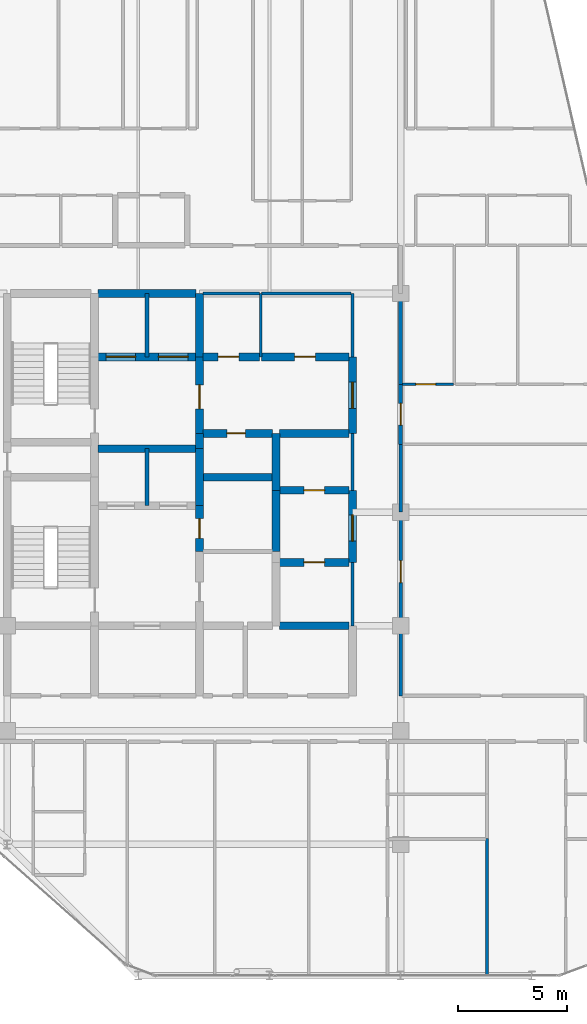
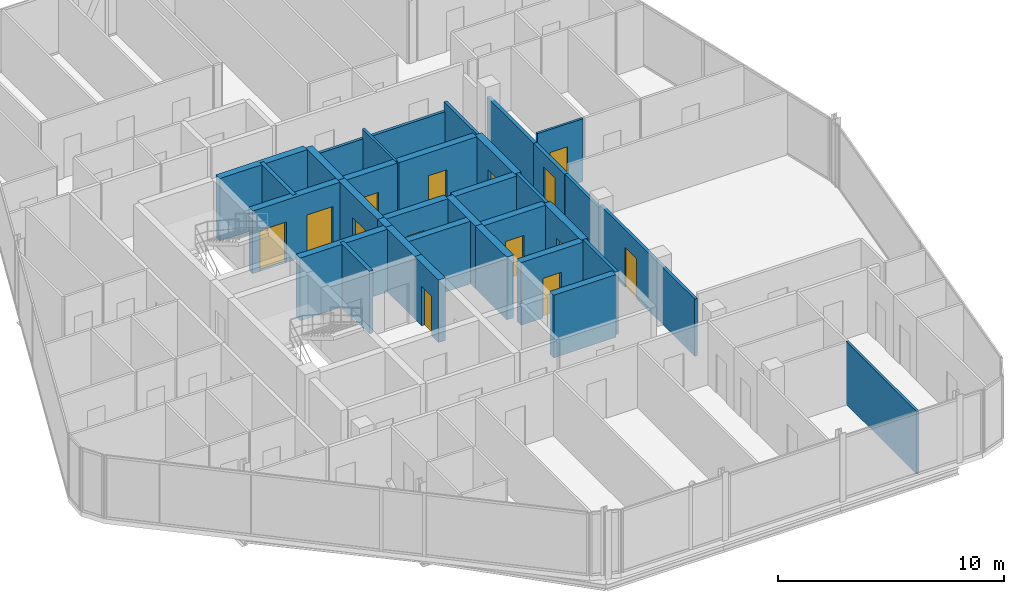
# One storey, part 24 of 27: 34 walls, 14 doors, 14 openings.
"""IFC4 building model written with IfcOpenShell, lengths in metres."""

from ifc_helpers import new_model, si_unit, direction, frame, frame_2d, origin, place, context, subcontext, project, spatial, rectangle, extrude, material, layer, layer_set, type_object, element, fill, save


model = new_model("IFC4")

# Units and contexts
model_context = context("Model", 3, precision=1e-05, world=origin(), true_north=direction((0.0, 1.0)))
body_context = subcontext(model_context, "Body", "Model", "MODEL_VIEW")
ifc_project = project(units=[si_unit("LENGTHUNIT", "METRE"), si_unit("AREAUNIT", "SQUARE_METRE"), si_unit("VOLUMEUNIT", "CUBIC_METRE"), si_unit("PLANEANGLEUNIT", "RADIAN"), si_unit("MASSUNIT", "GRAM", prefix="KILO")], contexts=[model_context])

# Site, building, storey
site_placement = place(None, origin())
site = spatial("IfcSite", under=ifc_project, at=site_placement, CompositionType="ELEMENT")
building_placement = place(site_placement, origin())
building = spatial("IfcBuilding", under=site, at=building_placement, Name="Keshet Zoharim Tower", CompositionType="ELEMENT")
storey_placement = place(building_placement, frame((0.0, 0.0, 269.5)))
storey = spatial("IfcBuildingStorey", under=building, at=storey_placement, Name="L67", CompositionType="ELEMENT", Elevation=269.5)

# Walls
ifc_material_1 = material(Name="Gypsum Plasterboard", Category="gypsum")
ifc_layer_1 = layer(ifc_material_1, 0.14990234375)
ifc_layer_set_1 = layer_set([ifc_layer_1], Name="Gypsum Plasterboard")
wall_type_1 = type_object("IfcWallType", Name="WL-CLIN-150", PredefinedType="STANDARD", material=ifc_layer_set_1)
wall_1_placement = place(storey_placement, frame((30.800048828125, 22.699951171875, 0.0), z_axis=(0.0, 0.0, 1.0), x_axis=(0.0, 1.0, 0.0)))
element("IfcWall", 1, at=wall_1_placement, inside=storey, type_object=wall_type_1, Name="L67 Interior Wall 058", PredefinedType="STANDARD", context=body_context, shape_type="SweptSolid", body=[
    extrude(rectangle(XDim=2.900146484375, YDim=0.14990234375, at=frame_2d((1.4501953125, 0.0))), origin(), (0.0, 0.0, 1.0), 3.389892578125),
])
wall_2_placement = place(storey_placement, frame((30.800048828125, 28.89990234375, 0.0), z_axis=(0.0, 0.0, 1.0), x_axis=(0.0, 1.0, 0.0)))
element("IfcWall", 2, at=wall_2_placement, inside=storey, type_object=wall_type_1, Name="L67 Interior Wall 060", PredefinedType="STANDARD", context=body_context, shape_type="SweptSolid", body=[
    extrude(rectangle(XDim=2.60009765625, YDim=0.14990234375, at=frame_2d((1.300048828125, 0.0))), origin(), (0.0, 0.0, 1.0), 3.389892578125),
])
wall_3_placement = place(storey_placement, frame((30.800048828125, 35.0, 0.0), z_axis=(0.0, 0.0, 1.0), x_axis=(0.0, 1.0, 0.0)))
element("IfcWall", 3, at=wall_3_placement, inside=storey, type_object=wall_type_1, Name="L67 Interior Wall 062", PredefinedType="STANDARD", context=body_context, shape_type="SweptSolid", body=[
    extrude(rectangle(XDim=2.89990234375, YDim=0.14990234375, at=frame_2d((1.449951171875, 0.0))), origin(), (0.0, 0.0, 1.0), 3.389892578125),
])

# Wall, opening, door
wall_4_placement = place(storey_placement, frame((33.0, 19.5, 0.0), z_axis=(0.0, 0.0, 1.0), x_axis=(0.0, 1.0, 0.0)))
wall_4 = element("IfcWall", 4, at=wall_4_placement, inside=storey, type_object=wall_type_1, Name="L67 Interior Wall 066", PredefinedType="STANDARD", context=body_context, shape_type="SweptSolid", body=[
    extrude(rectangle(XDim=8.39990234375, YDim=0.14990234375, at=frame_2d((4.199951171875, 0.0))), origin(), (0.0, 0.0, 1.0), 3.10009765625),
])
opening_1_placement = place(wall_4_placement, frame((5.179931640625, 0.0, 0.0)))
opening_1 = element("IfcOpeningElement", 5, at=opening_1_placement, cuts=wall_4, Name="Opening D-F310", PredefinedType="OPENING", context=body_context, shape_type="SweptSolid", body=[
    extrude(rectangle(XDim=1.0, YDim=2.14990234375, at=frame_2d((0.5, 1.074951171875))), frame((0.0, 0.0849609375, 0.0), z_axis=(0.0, -1.0, 0.0), x_axis=(1.0, 0.0, 0.0)), (0.0, 0.0, 1.0), 0.169921875),
])
ifc_material_2 = material(Name="Hardwood Timber", Category="wood")
door_type_1 = type_object("IfcDoorType", Name="DR-FD30-100", OperationType="NOTDEFINED", PredefinedType="DOOR", material=ifc_material_2)
door_1_placement = place(opening_1_placement, origin())
door_1 = element("IfcDoor", 6, at=door_1_placement, inside=storey, type_object=door_type_1, Name="L67 South West Residents Services Suite Door 1", OperationType="SINGLE_SWING_LEFT", OverallHeight=2.14990234375, OverallWidth=1.0, PredefinedType="DOOR", context=body_context, shape_type="SweptSolid", body=[
    extrude(rectangle(XDim=1.0, YDim=2.14990234375, at=frame_2d((0.5, 1.074951171875))), frame((0.0, 0.02490234375, 0.0), z_axis=(0.0, -1.0, 0.0), x_axis=(1.0, 0.0, 0.0)), (0.0, 0.0, 1.0), 0.050048828125),
])
fill(opening_1, door_1)

# Walls
wall_5_placement = place(storey_placement, frame((23.9599609375, 37.89990234375, 0.0), z_axis=(0.0, 0.0, 1.0), x_axis=(1.0, 0.0, 0.0)))
element("IfcWall", 7, at=wall_5_placement, inside=storey, type_object=wall_type_1, Name="L67 Interior Wall 144", PredefinedType="STANDARD", context=body_context, shape_type="SweptSolid", body=[
    extrude(rectangle(XDim=2.594970703125, YDim=0.14990234375, at=frame_2d((1.29736328125, 0.0))), origin(), (0.0, 0.0, 1.0), 2.889892578125),
])
wall_6_placement = place(storey_placement, frame((26.64501953125, 37.89990234375, 0.0), z_axis=(0.0, 0.0, 1.0), x_axis=(1.0, 0.0, 0.0)))
element("IfcWall", 8, at=wall_6_placement, inside=storey, type_object=wall_type_1, Name="L67 Interior Wall 145", PredefinedType="STANDARD", context=body_context, shape_type="SweptSolid", body=[
    extrude(rectangle(XDim=4.094970703125, YDim=0.14990234375, at=frame_2d((2.04736328125, 0.0))), origin(), (0.0, 0.0, 1.0), 2.889892578125),
])
wall_7_placement = place(storey_placement, frame((33.0, 27.89990234375, 0.0), z_axis=(0.0, 0.0, 1.0), x_axis=(0.0, 1.0, 0.0)))
element("IfcWall", 9, at=wall_7_placement, inside=storey, type_object=wall_type_1, Name="L67 Interior Wall 066 Part 2", PredefinedType="STANDARD", context=body_context, shape_type="SweptSolid", body=[
    extrude(rectangle(XDim=3.10009765625, YDim=0.14990234375, at=frame_2d((1.550048828125, 0.0))), origin(), (0.0, 0.0, 1.0), 2.889892578125),
])

# Wall, opening, door
ifc_material_3 = material(Name="Concrete C60/75", Category="concrete")
ifc_layer_2 = layer(ifc_material_3, 0.35009765625)
ifc_layer_set_2 = layer_set([ifc_layer_2], Name="Concrete C60/75")
wall_type_2 = type_object("IfcWallType", Name="WL-CORE-350", PredefinedType="SHEAR", material=ifc_layer_set_2)
wall_8_placement = place(storey_placement, frame((23.800048828125, 26.10009765625, 0.0), z_axis=(0.0, 0.0, 1.0), x_axis=(0.0, 1.0, 0.0)))
wall_8 = element("IfcWall", 10, at=wall_8_placement, inside=storey, type_object=wall_type_2, Name="L67 Core Shear Wall 040", PredefinedType="SHEAR", context=body_context, shape_type="SweptSolid", body=[
    extrude(rectangle(XDim=2.099853515625, YDim=0.35009765625, at=frame_2d((1.0498046875, 0.0))), origin(), (0.0, 0.0, 1.0), 3.389892578125),
])
opening_2_placement = place(wall_8_placement, frame((0.60009765625, 0.0, 0.0)))
opening_2 = element("IfcOpeningElement", 11, at=opening_2_placement, cuts=wall_8, Name="Opening D-F690", PredefinedType="OPENING", context=body_context, shape_type="SweptSolid", body=[
    extrude(rectangle(XDim=0.89990234375, YDim=2.14990234375, at=frame_2d((0.449951171875, 1.074951171875))), frame((0.0, 0.18505859375, 0.0), z_axis=(0.0, -1.0, 0.0), x_axis=(1.0, 0.0, 0.0)), (0.0, 0.0, 1.0), 0.3701171875),
])
door_type_2 = type_object("IfcDoorType", Name="DR-FD60-090", OperationType="NOTDEFINED", PredefinedType="DOOR", material=ifc_material_2)
door_2_placement = place(opening_2_placement, origin())
door_2 = element("IfcDoor", 12, at=door_2_placement, inside=storey, type_object=door_type_2, Name="L67 Core Electrical Room Door", OperationType="SINGLE_SWING_RIGHT", OverallHeight=2.14990234375, OverallWidth=0.89990234375, PredefinedType="DOOR", context=body_context, shape_type="SweptSolid", body=[
    extrude(rectangle(XDim=0.89990234375, YDim=2.14990234375, at=frame_2d((0.449951171875, 1.074951171875))), frame((0.0, 0.02490234375, 0.0), z_axis=(0.0, -1.0, 0.0), x_axis=(1.0, 0.0, 0.0)), (0.0, 0.0, 1.0), 0.050048828125),
])
fill(opening_2, door_2)

# Walls
wall_9_placement = place(storey_placement, frame((23.800048828125, 28.199951171875, 0.0), z_axis=(0.0, 0.0, 1.0), x_axis=(0.0, 1.0, 0.0)))
element("IfcWall", 13, at=wall_9_placement, inside=storey, type_object=wall_type_2, Name="L67 Core Shear Wall 041", PredefinedType="SHEAR", context=body_context, shape_type="SweptSolid", body=[
    extrude(rectangle(XDim=2.60009765625, YDim=0.35009765625, at=frame_2d((1.300048828125, 0.0))), origin(), (0.0, 0.0, 1.0), 3.389892578125),
])
wall_10_placement = place(storey_placement, frame((23.800048828125, 30.800048828125, 0.0), z_axis=(0.0, 0.0, 1.0), x_axis=(0.0, 1.0, 0.0)))
element("IfcWall", 14, at=wall_10_placement, inside=storey, type_object=wall_type_2, Name="L67 Core Shear Wall 042", PredefinedType="SHEAR", context=body_context, shape_type="SweptSolid", body=[
    extrude(rectangle(XDim=0.699951171875, YDim=0.35009765625, at=frame_2d((0.35009765625, 0.0))), origin(), (0.0, 0.0, 1.0), 3.389892578125),
])

# Wall, opening, door
wall_11_placement = place(storey_placement, frame((23.800048828125, 31.5, 0.0), z_axis=(0.0, 0.0, 1.0), x_axis=(0.0, 1.0, 0.0)))
wall_11 = element("IfcWall", 15, at=wall_11_placement, inside=storey, type_object=wall_type_2, Name="L67 Core Shear Wall 043", PredefinedType="SHEAR", context=body_context, shape_type="SweptSolid", body=[
    extrude(rectangle(XDim=3.5, YDim=0.35009765625, at=frame_2d((1.75, 0.0))), origin(), (0.0, 0.0, 1.0), 3.389892578125),
])
opening_3_placement = place(wall_11_placement, frame((1.126953125, 0.0, 0.0)))
opening_3 = element("IfcOpeningElement", 16, at=opening_3_placement, cuts=wall_11, Name="Opening D-F611", PredefinedType="OPENING", context=body_context, shape_type="SweptSolid", body=[
    extrude(rectangle(XDim=1.10009765625, YDim=2.14990234375, at=frame_2d((0.550048828125, 1.074951171875))), frame((0.0, 0.18505859375, 0.0), z_axis=(0.0, -1.0, 0.0), x_axis=(1.0, 0.0, 0.0)), (0.0, 0.0, 1.0), 0.3701171875),
])
door_type_3 = type_object("IfcDoorType", Name="DR-FD60-110", OperationType="NOTDEFINED", PredefinedType="DOOR", material=ifc_material_2)
door_3_placement = place(opening_3_placement, origin())
door_3 = element("IfcDoor", 17, at=door_3_placement, inside=storey, type_object=door_type_3, Name="L67 Firefighting Lobby Fire Door", OperationType="SINGLE_SWING_LEFT", OverallHeight=2.14990234375, OverallWidth=1.10009765625, PredefinedType="DOOR", context=body_context, shape_type="SweptSolid", body=[
    extrude(rectangle(XDim=1.10009765625, YDim=2.14990234375, at=frame_2d((0.550048828125, 1.074951171875))), frame((0.0, 0.02490234375, 0.0), z_axis=(0.0, -1.0, 0.0), x_axis=(1.0, 0.0, 0.0)), (0.0, 0.0, 1.0), 0.050048828125),
])
fill(opening_3, door_3)

# Walls
wall_12_placement = place(storey_placement, frame((23.800048828125, 35.0, 0.0), z_axis=(0.0, 0.0, 1.0), x_axis=(0.0, 1.0, 0.0)))
element("IfcWall", 18, at=wall_12_placement, inside=storey, type_object=wall_type_2, Name="L67 Core Shear Wall 044", PredefinedType="SHEAR", context=body_context, shape_type="SweptSolid", body=[
    extrude(rectangle(XDim=2.89990234375, YDim=0.35009765625, at=frame_2d((1.449951171875, 0.0))), origin(), (0.0, 0.0, 1.0), 3.389892578125),
])
wall_13_placement = place(storey_placement, frame((27.300048828125, 26.10009765625, 0.0), z_axis=(0.0, 0.0, 1.0), x_axis=(0.0, 1.0, 0.0)))
element("IfcWall", 19, at=wall_13_placement, inside=storey, type_object=wall_type_2, Name="L67 Core Shear Wall 051", PredefinedType="SHEAR", context=body_context, shape_type="SweptSolid", body=[
    extrude(rectangle(XDim=2.7998046875, YDim=0.35009765625, at=frame_2d((1.39990234375, 0.0))), origin(), (0.0, 0.0, 1.0), 3.389892578125),
])
wall_14_placement = place(storey_placement, frame((27.300048828125, 28.89990234375, 0.0), z_axis=(0.0, 0.0, 1.0), x_axis=(0.0, 1.0, 0.0)))
element("IfcWall", 20, at=wall_14_placement, inside=storey, type_object=wall_type_2, Name="L67 Core Shear Wall 052", PredefinedType="SHEAR", context=body_context, shape_type="SweptSolid", body=[
    extrude(rectangle(XDim=2.60009765625, YDim=0.35009765625, at=frame_2d((1.300048828125, 0.0))), origin(), (0.0, 0.0, 1.0), 3.389892578125),
])

# Wall, opening, door
wall_15_placement = place(storey_placement, frame((30.800048828125, 25.60009765625, 0.0), z_axis=(0.0, 0.0, 1.0), x_axis=(0.0, 1.0, 0.0)))
wall_15 = element("IfcWall", 21, at=wall_15_placement, inside=storey, type_object=wall_type_2, Name="L67 Core Shear Wall 059", PredefinedType="SHEAR", context=body_context, shape_type="SweptSolid", body=[
    extrude(rectangle(XDim=3.2998046875, YDim=0.35009765625, at=frame_2d((1.64990234375, 0.0))), origin(), (0.0, 0.0, 1.0), 3.389892578125),
])
opening_4_placement = place(wall_15_placement, frame((0.97802734375, 0.0, 0.0)))
opening_4 = element("IfcOpeningElement", 22, at=opening_4_placement, cuts=wall_15, Name="Opening D-F612", PredefinedType="OPENING", context=body_context, shape_type="SweptSolid", body=[
    extrude(rectangle(XDim=1.199951171875, YDim=2.199951171875, at=frame_2d((0.60009765625, 1.10009765625))), frame((0.0, 0.18505859375, 0.0), z_axis=(0.0, -1.0, 0.0), x_axis=(1.0, 0.0, 0.0)), (0.0, 0.0, 1.0), 0.3701171875),
])
door_type_4 = type_object("IfcDoorType", Name="DR-FD60-120", OperationType="NOTDEFINED", PredefinedType="DOOR", material=ifc_material_2)
door_4_placement = place(opening_4_placement, origin())
door_4 = element("IfcDoor", 23, at=door_4_placement, inside=storey, type_object=door_type_4, Name="L67 East Lift Lobby Fire Door", OperationType="SINGLE_SWING_RIGHT", OverallHeight=2.199951171875, OverallWidth=1.199951171875, PredefinedType="DOOR", context=body_context, shape_type="SweptSolid", body=[
    extrude(rectangle(XDim=1.199951171875, YDim=2.199951171875, at=frame_2d((0.60009765625, 1.10009765625))), frame((0.0, 0.02490234375, 0.0), z_axis=(0.0, -1.0, 0.0), x_axis=(1.0, 0.0, 0.0)), (0.0, 0.0, 1.0), 0.050048828125),
])
fill(opening_4, door_4)

wall_16_placement = place(storey_placement, frame((30.800048828125, 31.5, 0.0), z_axis=(0.0, 0.0, 1.0), x_axis=(0.0, 1.0, 0.0)))
wall_16 = element("IfcWall", 24, at=wall_16_placement, inside=storey, type_object=wall_type_2, Name="L67 Core Shear Wall 061", PredefinedType="SHEAR", context=body_context, shape_type="SweptSolid", body=[
    extrude(rectangle(XDim=3.5, YDim=0.35009765625, at=frame_2d((1.75, 0.0))), origin(), (0.0, 0.0, 1.0), 3.389892578125),
])
opening_5_placement = place(wall_16_placement, frame((1.14990234375, 0.0, 0.0)))
opening_5 = element("IfcOpeningElement", 25, at=opening_5_placement, cuts=wall_16, Name="Opening D-F612", PredefinedType="OPENING", context=body_context, shape_type="SweptSolid", body=[
    extrude(rectangle(XDim=1.199951171875, YDim=2.199951171875, at=frame_2d((0.60009765625, 1.10009765625))), frame((0.0, 0.18505859375, 0.0), z_axis=(0.0, -1.0, 0.0), x_axis=(1.0, 0.0, 0.0)), (0.0, 0.0, 1.0), 0.3701171875),
])
door_5_placement = place(opening_5_placement, origin())
door_5 = element("IfcDoor", 26, at=door_5_placement, inside=storey, type_object=door_type_4, Name="L67 North Lift Lobby East Fire Door", OperationType="SINGLE_SWING_LEFT", OverallHeight=2.199951171875, OverallWidth=1.199951171875, PredefinedType="DOOR", context=body_context, shape_type="SweptSolid", body=[
    extrude(rectangle(XDim=1.199951171875, YDim=2.199951171875, at=frame_2d((0.60009765625, 1.10009765625))), frame((0.0, 0.02490234375, 0.0), z_axis=(0.0, -1.0, 0.0), x_axis=(1.0, 0.0, 0.0)), (0.0, 0.0, 1.0), 0.050048828125),
])
fill(opening_5, door_5)

# Wall
wall_17_placement = place(storey_placement, frame((27.4599609375, 22.699951171875, 0.0), z_axis=(0.0, 0.0, 1.0), x_axis=(1.0, 0.0, 0.0)))
element("IfcWall", 27, at=wall_17_placement, inside=storey, type_object=wall_type_2, Name="L67 Core Shear Wall 113", PredefinedType="SHEAR", context=body_context, shape_type="SweptSolid", body=[
    extrude(rectangle(XDim=3.179931640625, YDim=0.35009765625, at=frame_2d((1.58984375, 0.0))), origin(), (0.0, 0.0, 1.0), 3.389892578125),
])

# Wall, opening, door
wall_18_placement = place(storey_placement, frame((27.4599609375, 25.60009765625, 0.0), z_axis=(0.0, 0.0, 1.0), x_axis=(1.0, 0.0, 0.0)))
wall_18 = element("IfcWall", 28, at=wall_18_placement, inside=storey, type_object=wall_type_2, Name="L67 Core Shear Wall 117", PredefinedType="SHEAR", context=body_context, shape_type="SweptSolid", body=[
    extrude(rectangle(XDim=3.179931640625, YDim=0.35009765625, at=frame_2d((1.58984375, 0.0))), origin(), (0.0, 0.0, 1.0), 3.389892578125),
])
opening_6_placement = place(wall_18_placement, frame((1.114990234375, 0.0, 0.0)))
opening_6 = element("IfcOpeningElement", 29, at=opening_6_placement, cuts=wall_18, Name="Opening D-F695", PredefinedType="OPENING", context=body_context, shape_type="SweptSolid", body=[
    extrude(rectangle(XDim=0.949951171875, YDim=2.14990234375, at=frame_2d((0.47509765625, 1.074951171875))), frame((0.0, 0.18505859375, 0.0), z_axis=(0.0, -1.0, 0.0), x_axis=(1.0, 0.0, 0.0)), (0.0, 0.0, 1.0), 0.3701171875),
])
door_type_5 = type_object("IfcDoorType", Name="DR-FD60-095", OperationType="NOTDEFINED", PredefinedType="DOOR", material=ifc_material_2)
door_6_placement = place(opening_6_placement, origin())
door_6 = element("IfcDoor", 30, at=door_6_placement, inside=storey, type_object=door_type_5, Name="L67 Study Alcove Door", OperationType="SINGLE_SWING_RIGHT", OverallHeight=2.14990234375, OverallWidth=0.949951171875, PredefinedType="DOOR", context=body_context, shape_type="SweptSolid", body=[
    extrude(rectangle(XDim=0.949951171875, YDim=2.14990234375, at=frame_2d((0.47509765625, 1.074951171875))), frame((0.0, 0.02490234375, 0.0), z_axis=(0.0, -1.0, 0.0), x_axis=(1.0, 0.0, 0.0)), (0.0, 0.0, 1.0), 0.050048828125),
])
fill(opening_6, door_6)

wall_19_placement = place(storey_placement, frame((27.4599609375, 28.89990234375, 0.0), z_axis=(0.0, 0.0, 1.0), x_axis=(1.0, 0.0, 0.0)))
wall_19 = element("IfcWall", 31, at=wall_19_placement, inside=storey, type_object=wall_type_2, Name="L67 Core Shear Wall 123", PredefinedType="SHEAR", context=body_context, shape_type="SweptSolid", body=[
    extrude(rectangle(XDim=3.179931640625, YDim=0.35009765625, at=frame_2d((1.58984375, 0.0))), origin(), (0.0, 0.0, 1.0), 3.389892578125),
])
opening_7_placement = place(wall_19_placement, frame((1.114990234375, 0.0, 0.0)))
opening_7 = element("IfcOpeningElement", 32, at=opening_7_placement, cuts=wall_19, Name="Opening D-F695", PredefinedType="OPENING", context=body_context, shape_type="SweptSolid", body=[
    extrude(rectangle(XDim=0.949951171875, YDim=2.14990234375, at=frame_2d((0.47509765625, 1.074951171875))), frame((0.0, 0.18505859375, 0.0), z_axis=(0.0, -1.0, 0.0), x_axis=(1.0, 0.0, 0.0)), (0.0, 0.0, 1.0), 0.3701171875),
])
door_7_placement = place(opening_7_placement, frame((0.949951171875, 0.0, 0.0), z_axis=(0.0, 0.0, 1.0), x_axis=(-1.0, 0.0, 0.0)))
door_7 = element("IfcDoor", 33, at=door_7_placement, inside=storey, type_object=door_type_5, Name="L67 Parcel Store Door", OperationType="SINGLE_SWING_RIGHT", OverallHeight=2.14990234375, OverallWidth=0.949951171875, PredefinedType="DOOR", context=body_context, shape_type="SweptSolid", body=[
    extrude(rectangle(XDim=0.949951171875, YDim=2.14990234375, at=frame_2d((0.47509765625, 1.074951171875))), frame((0.0, 0.02490234375, 0.0), z_axis=(0.0, -1.0, 0.0), x_axis=(1.0, 0.0, 0.0)), (0.0, 0.0, 1.0), 0.050048828125),
])
fill(opening_7, door_7)

# Walls
wall_20_placement = place(storey_placement, frame((23.9599609375, 29.5, 0.0), z_axis=(0.0, 0.0, 1.0), x_axis=(1.0, 0.0, 0.0)))
element("IfcWall", 34, at=wall_20_placement, inside=storey, type_object=wall_type_2, Name="L67 Core Shear Wall 125", PredefinedType="SHEAR", context=body_context, shape_type="SweptSolid", body=[
    extrude(rectangle(XDim=3.179931640625, YDim=0.35009765625, at=frame_2d((1.58984375, 0.0))), origin(), (0.0, 0.0, 1.0), 3.389892578125),
])
wall_21_placement = place(storey_placement, frame((19.159912109375, 30.800048828125, 0.0), z_axis=(0.0, 0.0, 1.0), x_axis=(1.0, 0.0, 0.0)))
element("IfcWall", 35, at=wall_21_placement, inside=storey, type_object=wall_type_2, Name="L67 Core Shear Wall 129", PredefinedType="SHEAR", context=body_context, shape_type="SweptSolid", body=[
    extrude(rectangle(XDim=4.47998046875, YDim=0.35009765625, at=frame_2d((2.239990234375, 0.0))), origin(), (0.0, 0.0, 1.0), 3.389892578125),
])

# Wall, opening, door
wall_22_placement = place(storey_placement, frame((23.9599609375, 31.5, 0.0), z_axis=(0.0, 0.0, 1.0), x_axis=(1.0, 0.0, 0.0)))
wall_22 = element("IfcWall", 36, at=wall_22_placement, inside=storey, type_object=wall_type_2, Name="L67 Core Shear Wall 132", PredefinedType="SHEAR", context=body_context, shape_type="SweptSolid", body=[
    extrude(rectangle(XDim=3.179931640625, YDim=0.35009765625, at=frame_2d((1.58984375, 0.0))), origin(), (0.0, 0.0, 1.0), 3.389892578125),
])
opening_8_placement = place(wall_22_placement, frame((1.093994140625, 0.0, 0.0)))
opening_8 = element("IfcOpeningElement", 37, at=opening_8_placement, cuts=wall_22, Name="Opening D-RS85", PredefinedType="OPENING", context=body_context, shape_type="SweptSolid", body=[
    extrude(rectangle(XDim=0.85009765625, YDim=2.10009765625, at=frame_2d((0.425048828125, 1.050048828125))), frame((0.0, 0.18505859375, 0.0), z_axis=(0.0, -1.0, 0.0), x_axis=(1.0, 0.0, 0.0)), (0.0, 0.0, 1.0), 0.3701171875),
])
door_type_6 = type_object("IfcDoorType", Name="DR-RIS-085", OperationType="NOTDEFINED", PredefinedType="DOOR", material=ifc_material_2)
door_8_placement = place(opening_8_placement, origin())
door_8 = element("IfcDoor", 38, at=door_8_placement, inside=storey, type_object=door_type_6, Name="L67 Telecom Riser Access Cupboard Door", OperationType="SINGLE_SWING_LEFT", OverallHeight=2.10009765625, OverallWidth=0.85009765625, PredefinedType="DOOR", context=body_context, shape_type="SweptSolid", body=[
    extrude(rectangle(XDim=0.85009765625, YDim=2.10009765625, at=frame_2d((0.425048828125, 1.050048828125))), frame((0.0, 0.02490234375, 0.0), z_axis=(0.0, -1.0, 0.0), x_axis=(1.0, 0.0, 0.0)), (0.0, 0.0, 1.0), 0.050048828125),
])
fill(opening_8, door_8)

# Wall
wall_23_placement = place(storey_placement, frame((27.4599609375, 31.5, 0.0), z_axis=(0.0, 0.0, 1.0), x_axis=(1.0, 0.0, 0.0)))
element("IfcWall", 39, at=wall_23_placement, inside=storey, type_object=wall_type_2, Name="L67 Core Shear Wall 133", PredefinedType="SHEAR", context=body_context, shape_type="SweptSolid", body=[
    extrude(rectangle(XDim=3.179931640625, YDim=0.35009765625, at=frame_2d((1.58984375, 0.0))), origin(), (0.0, 0.0, 1.0), 3.389892578125),
])

# Wall, openings, doors
wall_24_placement = place(storey_placement, frame((19.159912109375, 35.0, 0.0), z_axis=(0.0, 0.0, 1.0), x_axis=(1.0, 0.0, 0.0)))
wall_24 = element("IfcWall", 40, at=wall_24_placement, inside=storey, type_object=wall_type_2, Name="L67 Core Shear Wall 139", PredefinedType="SHEAR", context=body_context, shape_type="SweptSolid", body=[
    extrude(rectangle(XDim=4.47998046875, YDim=0.35009765625, at=frame_2d((2.239990234375, 0.0))), origin(), (0.0, 0.0, 1.0), 3.389892578125),
])
opening_9_placement = place(wall_24_placement, frame((0.364990234375, 0.0, 0.0)))
opening_9 = element("IfcOpeningElement", 41, at=opening_9_placement, cuts=wall_24, Name="Opening LD-02", PredefinedType="OPENING", context=body_context, shape_type="SweptSolid", body=[
    extrude(rectangle(XDim=1.35009765625, YDim=2.199951171875, at=frame_2d((0.675048828125, 1.10009765625))), frame((0.0, 0.18505859375, 0.0), z_axis=(0.0, -1.0, 0.0), x_axis=(1.0, 0.0, 0.0)), (0.0, 0.0, 1.0), 0.3701171875),
])
opening_10_placement = place(wall_24_placement, frame((2.764892578125, 0.0, 0.0)))
opening_10 = element("IfcOpeningElement", 42, at=opening_10_placement, cuts=wall_24, Name="Opening LD-02", PredefinedType="OPENING", context=body_context, shape_type="SweptSolid", body=[
    extrude(rectangle(XDim=1.35009765625, YDim=2.199951171875, at=frame_2d((0.675048828125, 1.10009765625))), frame((0.0, 0.18505859375, 0.0), z_axis=(0.0, -1.0, 0.0), x_axis=(1.0, 0.0, 0.0)), (0.0, 0.0, 1.0), 0.3701171875),
])
ifc_material_4 = material(Name="Steel S355", Category="steel")
door_type_7 = type_object("IfcDoorType", Name="DR-LD02-135", OperationType="DOUBLE_DOOR_SLIDING", PredefinedType="DOOR", material=ifc_material_4)
door_9_placement = place(opening_9_placement, origin())
door_9 = element("IfcDoor", 43, at=door_9_placement, inside=storey, type_object=door_type_7, Name="L67 Firefighting Lift Landing Door FF-01", OperationType="DOUBLE_DOOR_SLIDING", OverallHeight=2.199951171875, OverallWidth=1.35009765625, PredefinedType="DOOR", context=body_context, shape_type="SweptSolid", body=[
    extrude(rectangle(XDim=1.35009765625, YDim=2.199951171875, at=frame_2d((0.675048828125, 1.10009765625))), frame((0.0, 0.02490234375, 0.0), z_axis=(0.0, -1.0, 0.0), x_axis=(1.0, 0.0, 0.0)), (0.0, 0.0, 1.0), 0.050048828125),
])
fill(opening_9, door_9)
door_10_placement = place(opening_10_placement, origin())
door_10 = element("IfcDoor", 44, at=door_10_placement, inside=storey, type_object=door_type_7, Name="L67 Firefighting Lift Landing Door FF-02", OperationType="DOUBLE_DOOR_SLIDING", OverallHeight=2.199951171875, OverallWidth=1.35009765625, PredefinedType="DOOR", context=body_context, shape_type="SweptSolid", body=[
    extrude(rectangle(XDim=1.35009765625, YDim=2.199951171875, at=frame_2d((0.675048828125, 1.10009765625))), frame((0.0, 0.02490234375, 0.0), z_axis=(0.0, -1.0, 0.0), x_axis=(1.0, 0.0, 0.0)), (0.0, 0.0, 1.0), 0.050048828125),
])
fill(opening_10, door_10)

# Wall, opening, door
wall_25_placement = place(storey_placement, frame((23.9599609375, 35.0, 0.0), z_axis=(0.0, 0.0, 1.0), x_axis=(1.0, 0.0, 0.0)))
wall_25 = element("IfcWall", 45, at=wall_25_placement, inside=storey, type_object=wall_type_2, Name="L67 Core Shear Wall 140", PredefinedType="SHEAR", context=body_context, shape_type="SweptSolid", body=[
    extrude(rectangle(XDim=2.594970703125, YDim=0.35009765625, at=frame_2d((1.29736328125, 0.0))), origin(), (0.0, 0.0, 1.0), 3.389892578125),
])
opening_11_placement = place(wall_25_placement, frame((0.69091796875, 0.0, 0.0)))
opening_11 = element("IfcOpeningElement", 46, at=opening_11_placement, cuts=wall_25, Name="Opening D-F695", PredefinedType="OPENING", context=body_context, shape_type="SweptSolid", body=[
    extrude(rectangle(XDim=0.949951171875, YDim=2.14990234375, at=frame_2d((0.47509765625, 1.074951171875))), frame((0.0, 0.18505859375, 0.0), z_axis=(0.0, -1.0, 0.0), x_axis=(1.0, 0.0, 0.0)), (0.0, 0.0, 1.0), 0.3701171875),
])
door_11_placement = place(opening_11_placement, frame((0.949951171875, 0.0, 0.0), z_axis=(0.0, 0.0, 1.0), x_axis=(-1.0, 0.0, 0.0)))
door_11 = element("IfcDoor", 47, at=door_11_placement, inside=storey, type_object=door_type_5, Name="L67 Laundry Room Door", OperationType="SINGLE_SWING_LEFT", OverallHeight=2.14990234375, OverallWidth=0.949951171875, PredefinedType="DOOR", context=body_context, shape_type="SweptSolid", body=[
    extrude(rectangle(XDim=0.949951171875, YDim=2.14990234375, at=frame_2d((0.47509765625, 1.074951171875))), frame((0.0, 0.02490234375, 0.0), z_axis=(0.0, -1.0, 0.0), x_axis=(1.0, 0.0, 0.0)), (0.0, 0.0, 1.0), 0.050048828125),
])
fill(opening_11, door_11)

wall_26_placement = place(storey_placement, frame((26.64501953125, 35.0, 0.0), z_axis=(0.0, 0.0, 1.0), x_axis=(1.0, 0.0, 0.0)))
wall_26 = element("IfcWall", 48, at=wall_26_placement, inside=storey, type_object=wall_type_2, Name="L67 Core Shear Wall 141", PredefinedType="SHEAR", context=body_context, shape_type="SweptSolid", body=[
    extrude(rectangle(XDim=3.994873046875, YDim=0.35009765625, at=frame_2d((1.99755859375, 0.0))), origin(), (0.0, 0.0, 1.0), 3.389892578125),
])
opening_12_placement = place(wall_26_placement, frame((1.508056640625, 0.0, 0.0)))
opening_12 = element("IfcOpeningElement", 49, at=opening_12_placement, cuts=wall_26, Name="Opening D-F695", PredefinedType="OPENING", context=body_context, shape_type="SweptSolid", body=[
    extrude(rectangle(XDim=0.949951171875, YDim=2.14990234375, at=frame_2d((0.47509765625, 1.074951171875))), frame((0.0, 0.18505859375, 0.0), z_axis=(0.0, -1.0, 0.0), x_axis=(1.0, 0.0, 0.0)), (0.0, 0.0, 1.0), 0.3701171875),
])
door_12_placement = place(opening_12_placement, frame((0.949951171875, 0.0, 0.0), z_axis=(0.0, 0.0, 1.0), x_axis=(-1.0, 0.0, 0.0)))
door_12 = element("IfcDoor", 50, at=door_12_placement, inside=storey, type_object=door_type_5, Name="L67 Quiet Study Room Door", OperationType="SINGLE_SWING_RIGHT", OverallHeight=2.14990234375, OverallWidth=0.949951171875, PredefinedType="DOOR", context=body_context, shape_type="SweptSolid", body=[
    extrude(rectangle(XDim=0.949951171875, YDim=2.14990234375, at=frame_2d((0.47509765625, 1.074951171875))), frame((0.0, 0.02490234375, 0.0), z_axis=(0.0, -1.0, 0.0), x_axis=(1.0, 0.0, 0.0)), (0.0, 0.0, 1.0), 0.050048828125),
])
fill(opening_12, door_12)

# Wall
wall_27_placement = place(storey_placement, frame((19.159912109375, 37.89990234375, 0.0), z_axis=(0.0, 0.0, 1.0), x_axis=(1.0, 0.0, 0.0)))
element("IfcWall", 51, at=wall_27_placement, inside=storey, type_object=wall_type_2, Name="L67 Core Shear Wall 143", PredefinedType="SHEAR", context=body_context, shape_type="SweptSolid", body=[
    extrude(rectangle(XDim=4.47998046875, YDim=0.35009765625, at=frame_2d((2.239990234375, 0.0))), origin(), (0.0, 0.0, 1.0), 3.389892578125),
])

# Wall, opening, door
ifc_layer_3 = layer(ifc_material_1, 0.179931640625)
ifc_layer_set_3 = layer_set([ifc_layer_3], Name="Gypsum Plasterboard")
wall_type_3 = type_object("IfcWallType", Name="WL-CORR-180", PredefinedType="STANDARD", material=ifc_layer_set_3)
wall_28_placement = place(storey_placement, frame((33.0, 31.0, 0.0), z_axis=(0.0, 0.0, 1.0), x_axis=(0.0, 1.0, 0.0)))
wall_28 = element("IfcWall", 52, at=wall_28_placement, inside=storey, type_object=wall_type_3, Name="L67 Interior Wall 067", PredefinedType="STANDARD", context=body_context, shape_type="SweptSolid", body=[
    extrude(rectangle(XDim=2.75, YDim=0.179931640625, at=frame_2d((1.375, 0.0))), origin(), (0.0, 0.0, 1.0), 2.889892578125),
])
opening_13_placement = place(wall_28_placement, frame((0.875, 0.0, 0.0)))
opening_13 = element("IfcOpeningElement", 53, at=opening_13_placement, cuts=wall_28, Name="Opening D-F310", PredefinedType="OPENING", context=body_context, shape_type="SweptSolid", body=[
    extrude(rectangle(XDim=1.0, YDim=2.14990234375, at=frame_2d((0.5, 1.074951171875))), frame((0.0, 0.10009765625, 0.0), z_axis=(0.0, -1.0, 0.0), x_axis=(1.0, 0.0, 0.0)), (0.0, 0.0, 1.0), 0.199951171875),
])
door_13_placement = place(opening_13_placement, origin())
door_13 = element("IfcDoor", 54, at=door_13_placement, inside=storey, type_object=door_type_1, Name="Apartment 6709 Entrance Door", OperationType="SINGLE_SWING_RIGHT", OverallHeight=2.14990234375, OverallWidth=1.0, PredefinedType="DOOR", context=body_context, shape_type="SweptSolid", body=[
    extrude(rectangle(XDim=1.0, YDim=2.14990234375, at=frame_2d((0.5, 1.074951171875))), frame((0.0, 0.02490234375, 0.0), z_axis=(0.0, -1.0, 0.0), x_axis=(1.0, 0.0, 0.0)), (0.0, 0.0, 1.0), 0.050048828125),
])
fill(opening_13, door_13)

# Walls
wall_29_placement = place(storey_placement, frame((33.0, 33.75, 0.0), z_axis=(0.0, 0.0, 1.0), x_axis=(0.0, 1.0, 0.0)))
element("IfcWall", 55, at=wall_29_placement, inside=storey, type_object=wall_type_3, Name="L67 Interior Wall 068", PredefinedType="STANDARD", context=body_context, shape_type="SweptSolid", body=[
    extrude(rectangle(XDim=4.14990234375, YDim=0.179931640625, at=frame_2d((2.074951171875, 0.0))), origin(), (0.0, 0.0, 1.0), 2.889892578125),
])
ifc_material_5 = material(Name="Concrete C50/60", Category="concrete")
ifc_layer_4 = layer(ifc_material_5, 0.199951171875)
ifc_layer_set_4 = layer_set([ifc_layer_4], Name="Concrete C50/60")
wall_type_4 = type_object("IfcWallType", Name="WL-FIRE-200", PredefinedType="STANDARD", material=ifc_layer_set_4)
wall_30_placement = place(storey_placement, frame((21.39990234375, 28.199951171875, 0.0), z_axis=(0.0, 0.0, 1.0), x_axis=(0.0, 1.0, 0.0)))
element("IfcWall", 56, at=wall_30_placement, inside=storey, type_object=wall_type_4, Name="L67 Interior Wall 034", PredefinedType="STANDARD", context=body_context, shape_type="SweptSolid", body=[
    extrude(rectangle(XDim=2.60009765625, YDim=0.199951171875, at=frame_2d((1.300048828125, 0.0))), origin(), (0.0, 0.0, 1.0), 3.389892578125),
])
wall_31_placement = place(storey_placement, frame((21.39990234375, 35.0, 0.0), z_axis=(0.0, 0.0, 1.0), x_axis=(0.0, 1.0, 0.0)))
element("IfcWall", 57, at=wall_31_placement, inside=storey, type_object=wall_type_4, Name="L67 Interior Wall 035", PredefinedType="STANDARD", context=body_context, shape_type="SweptSolid", body=[
    extrude(rectangle(XDim=2.89990234375, YDim=0.199951171875, at=frame_2d((1.449951171875, 0.0))), origin(), (0.0, 0.0, 1.0), 3.389892578125),
])
ifc_layer_5 = layer(ifc_material_1, 0.1201171875)
ifc_layer_set_5 = layer_set([ifc_layer_5], Name="Gypsum Plasterboard")
wall_type_5 = type_object("IfcWallType", Name="WL-PART-120", PredefinedType="PARTITIONING", material=ifc_layer_set_5)
wall_32_placement = place(storey_placement, frame((26.60009765625, 35.0, 0.0), z_axis=(0.0, 0.0, 1.0), x_axis=(0.0, 1.0, 0.0)))
element("IfcWall", 58, at=wall_32_placement, inside=storey, type_object=wall_type_5, Name="L67 Interior Wall 048", PredefinedType="PARTITIONING", context=body_context, shape_type="SweptSolid", body=[
    extrude(rectangle(XDim=2.89990234375, YDim=0.1201171875, at=frame_2d((1.449951171875, 0.0))), origin(), (0.0, 0.0, 1.0), 3.389892578125),
])
wall_33_placement = place(storey_placement, frame((36.949951171875, 6.7099609375, 0.0), z_axis=(0.0, 0.0, 1.0), x_axis=(0.0, 1.0, 0.0)))
element("IfcWall", 59, at=wall_33_placement, inside=storey, type_object=wall_type_5, Name="L67 Interior Wall 073", PredefinedType="PARTITIONING", context=body_context, shape_type="SweptSolid", body=[
    extrude(rectangle(XDim=6.260009765625, YDim=0.1201171875, at=frame_2d((3.1298828125, 0.0))), origin(), (0.0, 0.0, 1.0), 3.389892578125),
])

# Wall, opening, door
wall_34_placement = place(storey_placement, frame((33.074951171875, 33.75, 0.0), z_axis=(0.0, 0.0, 1.0), x_axis=(1.0, 0.0, 0.0)))
wall_34 = element("IfcWall", 60, at=wall_34_placement, inside=storey, type_object=wall_type_5, Name="L67 Interior Wall 136", PredefinedType="PARTITIONING", context=body_context, shape_type="SweptSolid", body=[
    extrude(rectangle(XDim=2.3349609375, YDim=0.1201171875, at=frame_2d((1.16748046875, 0.0))), origin(), (0.0, 0.0, 1.0), 3.389892578125),
])
opening_14_placement = place(wall_34_placement, frame((0.6279296875, 0.0, 0.0)))
opening_14 = element("IfcOpeningElement", 61, at=opening_14_placement, cuts=wall_34, Name="Opening D-IN90", PredefinedType="OPENING", context=body_context, shape_type="SweptSolid", body=[
    extrude(rectangle(XDim=0.89990234375, YDim=2.14990234375, at=frame_2d((0.449951171875, 1.074951171875))), frame((0.0, 0.070068359375, 0.0), z_axis=(0.0, -1.0, 0.0), x_axis=(1.0, 0.0, 0.0)), (0.0, 0.0, 1.0), 0.14013671875),
])
door_type_8 = type_object("IfcDoorType", Name="DR-INT-090", OperationType="NOTDEFINED", PredefinedType="DOOR", material=ifc_material_2)
door_14_placement = place(opening_14_placement, origin())
door_14 = element("IfcDoor", 62, at=door_14_placement, inside=storey, type_object=door_type_8, Name="Apartment 6709 Kitchen Door", OperationType="SINGLE_SWING_RIGHT", OverallHeight=2.14990234375, OverallWidth=0.89990234375, PredefinedType="DOOR", context=body_context, shape_type="SweptSolid", body=[
    extrude(rectangle(XDim=0.89990234375, YDim=2.14990234375, at=frame_2d((0.449951171875, 1.074951171875))), frame((0.0, 0.02490234375, 0.0), z_axis=(0.0, -1.0, 0.0), x_axis=(1.0, 0.0, 0.0)), (0.0, 0.0, 1.0), 0.050048828125),
])
fill(opening_14, door_14)

save(model, "model.ifc")
